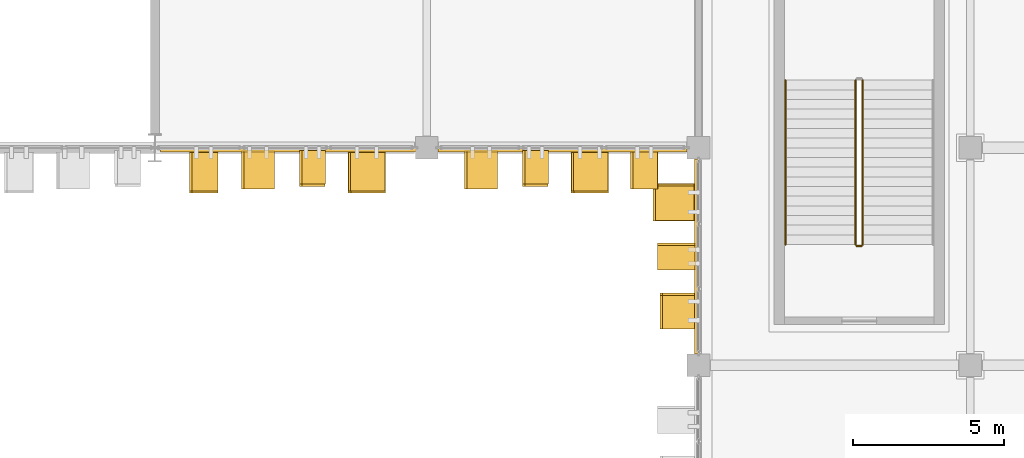
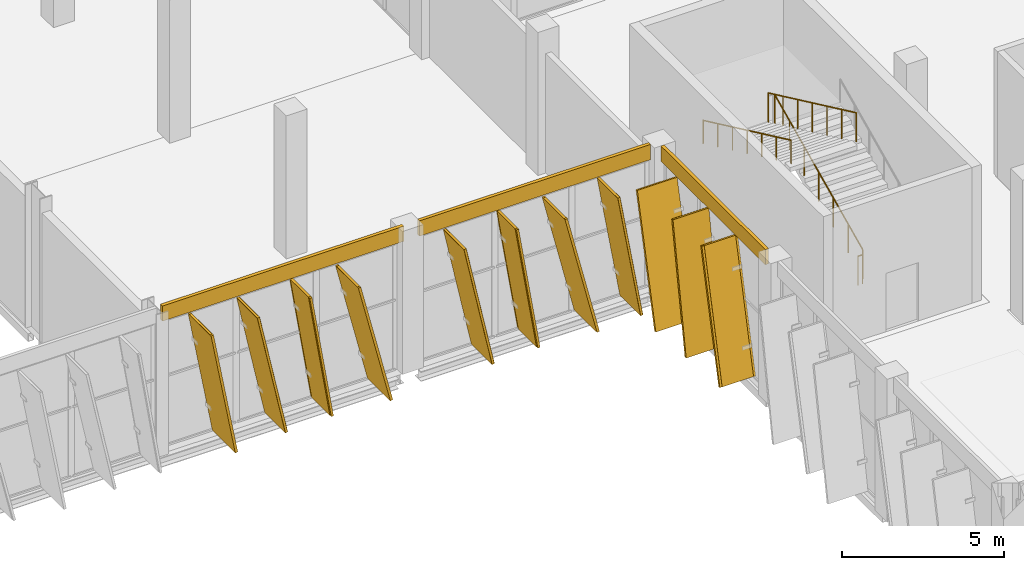
# One storey, part 165 of 189: 14 coverings, 11 shading devices, 4 railings.
"""IFC4 building model written with IfcOpenShell, lengths in metres."""

from ifc_helpers import new_model, si_unit, direction, frame, origin, origin_2d, place, context, subcontext, project, spatial, rectangle, circle, extrude, material, layer, layer_set, material_profile, profile_set, type_object, element, save


model = new_model("IFC4")

# Units and contexts
model_context = context("Model", 3, precision=1e-05, world=origin(), true_north=direction((0.0, 1.0)))
body_context = subcontext(model_context, "Body", "Model", "MODEL_VIEW")
ifc_project = project(units=[si_unit("LENGTHUNIT", "METRE"), si_unit("AREAUNIT", "SQUARE_METRE"), si_unit("VOLUMEUNIT", "CUBIC_METRE"), si_unit("PLANEANGLEUNIT", "RADIAN"), si_unit("MASSUNIT", "GRAM", prefix="KILO")], contexts=[model_context])

# Site, building, storey
site_placement = place(None, origin())
site = spatial("IfcSite", under=ifc_project, at=site_placement, CompositionType="ELEMENT")
building_placement = place(site_placement, origin())
building = spatial("IfcBuilding", under=site, at=building_placement, Name="Celestram Park Convention Centre", CompositionType="ELEMENT")
storey_placement = place(building_placement, frame((0.0, 0.0, 5.39990234375)))
storey = spatial("IfcBuildingStorey", under=building, at=storey_placement, Name="L01", CompositionType="ELEMENT", Elevation=5.39990234375)

# Coverings
ifc_material_1 = material(Name="Anodised Bronze Aluminium Spandrel Cladding", Category="aluminium")
ifc_layer_1 = layer(ifc_material_1, 0.050048828125)
ifc_layer_set_1 = layer_set([ifc_layer_1], Name="Anodised Bronze Aluminium Spandrel Cladding")
covering_type_1 = type_object("IfcCoveringType", Name="ARC-COV-CLD060", PredefinedType="CLADDING", material=ifc_layer_set_1)
covering_1_placement = place(storey_placement, frame((143.919921875, 18.0, 4.82421875), z_axis=(0.0, 0.0, 1.0), x_axis=(0.0, 1.0, 0.0)))
element("IfcCovering", 1, at=covering_1_placement, inside=storey, type_object=covering_type_1, Name="Bronze spandrel cladding CL-L01-040", PredefinedType="CLADDING", context=body_context, shape_type="SweptSolid", body=[
    extrude(rectangle(XDim=6.4541015625, YDim=0.1201171875, at=origin_2d()), origin(), (0.0, 0.0, 1.0), 0.575927734375),
])
covering_2_placement = place(storey_placement, frame((139.5, 21.52001953125, 4.82421875), z_axis=(0.0, 0.0, 1.0), x_axis=(-1.0, 0.0, 0.0)))
element("IfcCovering", 2, at=covering_2_placement, inside=storey, type_object=covering_type_1, Name="Bronze spandrel cladding CL-L01-041", PredefinedType="CLADDING", context=body_context, shape_type="SweptSolid", body=[
    extrude(rectangle(XDim=8.25390625, YDim=0.1201171875, at=origin_2d()), origin(), (0.0, 0.0, 1.0), 0.575927734375),
])
covering_3_placement = place(storey_placement, frame((130.5, 21.52001953125, 4.82421875), z_axis=(0.0, 0.0, 1.0), x_axis=(-1.0, 0.0, 0.0)))
element("IfcCovering", 3, at=covering_3_placement, inside=storey, type_object=covering_type_1, Name="Bronze spandrel cladding CL-L01-042", PredefinedType="CLADDING", context=body_context, shape_type="SweptSolid", body=[
    extrude(rectangle(XDim=8.616943359375, YDim=0.1201171875, at=origin_2d()), origin(), (0.0, 0.0, 1.0), 0.575927734375),
])
ifc_material_2 = material(Name="Timber-Toned Anodised Aluminium Alloy 6063-T6", Category="wood")
ifc_material_profile_1 = material_profile(ifc_material_2, rectangle(XDim=1.1201171875, YDim=0.090087890625, at=origin_2d()), Name="REED1120X90")
ifc_profile_set_1 = profile_set([ifc_material_profile_1], Name="Timber-Toned Anodised Aluminium Alloy 6063-T6")
covering_type_2 = type_object("IfcCoveringType", Name="ARC-COV-FIN1120", PredefinedType="CLADDING", material=ifc_profile_set_1)
for number, where, z_axis, x_axis, name in (
    (4, (143.360107421875, 15.64453125, 0.0703125), (0.0, 0.231760514524, 0.972772873752), (-1.0, 0.0, 0.0), "Leaning timber-toned reed fin RFN-L01-0134"),
    (5, (138.983154296875, 20.9599609375, 0.035888671875), (-0.159855237728, 0.0, 0.9871404677), (0.0, -1.0, 0.0), "Leaning timber-toned reed fin RFN-L01-0139"),
    (6, (131.601806640625, 20.9599609375, 0.035888671875), (-0.159904861316, 0.0, 0.987132430491), (0.0, -1.0, 0.0), "Leaning timber-toned reed fin RFN-L01-0142"),
):
    element("IfcCovering", number, at=place(storey_placement, frame(where, z_axis=z_axis, x_axis=x_axis)), inside=storey, type_object=covering_type_2, Name=name, PredefinedType="CLADDING", context=body_context, shape_type="SweptSolid", body=[
        extrude(rectangle(XDim=1.1201171875, YDim=0.090087890625, at=origin_2d()), origin(), (0.0, 0.0, 1.0), 4.794189453125),
    ])
ifc_material_profile_2 = material_profile(ifc_material_2, rectangle(XDim=1.280029296875, YDim=0.090087890625, at=origin_2d()), Name="REED1280X90")
ifc_profile_set_2 = profile_set([ifc_material_profile_2], Name="Timber-Toned Anodised Aluminium Alloy 6063-T6")
covering_type_3 = type_object("IfcCoveringType", Name="ARC-COV-FIN1280", PredefinedType="CLADDING", material=ifc_profile_set_2)
for number, where, z_axis, x_axis, name in (
    (7, (143.280029296875, 17.592041015625, 0.0400390625), (0.0, 0.170193410024, 0.985410677426), (-1.0, 0.0, 0.0), "Leaning timber-toned reed fin RFN-L01-0135"),
    (8, (142.60791015625, 20.8798828125, 0.0400390625), (-0.170193410024, 0.0, 0.985410677426), (0.0, -1.0, 0.0), "Leaning timber-toned reed fin RFN-L01-0137"),
    (9, (137.302490234375, 20.8798828125, 0.058349609375), (-0.209612557378, 0.0, 0.977784524212), (0.0, -1.0, 0.0), "Leaning timber-toned reed fin RFN-L01-0140"),
    (10, (129.9208984375, 20.8798828125, 0.058349609375), (-0.209612557378, 0.0, 0.977784524212), (0.0, -1.0, 0.0), "Leaning timber-toned reed fin RFN-L01-0143"),
):
    element("IfcCovering", number, at=place(storey_placement, frame(where, z_axis=z_axis, x_axis=x_axis)), inside=storey, type_object=covering_type_3, Name=name, PredefinedType="CLADDING", context=body_context, shape_type="SweptSolid", body=[
        extrude(rectangle(XDim=1.280029296875, YDim=0.090087890625, at=origin_2d()), origin(), (0.0, 0.0, 1.0), 4.7939453125),
    ])
ifc_material_profile_3 = material_profile(ifc_material_2, rectangle(XDim=1.419921875, YDim=0.090087890625, at=origin_2d()), Name="REED1420X90")
ifc_profile_set_3 = profile_set([ifc_material_profile_3], Name="Timber-Toned Anodised Aluminium Alloy 6063-T6")
covering_type_4 = type_object("IfcCoveringType", Name="ARC-COV-FIN1420", PredefinedType="CLADDING", material=ifc_profile_set_3)
for number, where, z_axis, x_axis, name in (
    (11, (143.2099609375, 19.228271484375, 0.07421875), (0.0, 0.238531475979, 0.971134766635), (-1.0, 0.0, 0.0), "Leaning timber-toned reed fin RFN-L01-0136"),
    (12, (140.9716796875, 20.81005859375, 0.07421875), (-0.238531475979, 0.0, 0.971134766635), (0.0, -1.0, 0.0), "Leaning timber-toned reed fin RFN-L01-0138"),
    (13, (133.59033203125, 20.81005859375, 0.07421875), (-0.238531475979, 0.0, 0.971134766635), (0.0, -1.0, 0.0), "Leaning timber-toned reed fin RFN-L01-0141"),
    (14, (128.05126953125, 20.81005859375, 0.04443359375), (-0.180529868838, 0.0, 0.983569502606), (0.0, -1.0, 0.0), "Leaning timber-toned reed fin RFN-L01-0144"),
):
    element("IfcCovering", number, at=place(storey_placement, frame(where, z_axis=z_axis, x_axis=x_axis)), inside=storey, type_object=covering_type_4, Name=name, PredefinedType="CLADDING", context=body_context, shape_type="SweptSolid", body=[
        extrude(rectangle(XDim=1.419921875, YDim=0.090087890625, at=origin_2d()), origin(), (0.0, 0.0, 1.0), 4.794189453125),
    ])

# Shading devices
ifc_material_3 = material(Name="Anodised Bronze Aluminium Alloy 6063-T6", Category="aluminium")
ifc_material_profile_4 = material_profile(ifc_material_3, rectangle(XDim=1.280029296875, YDim=0.080078125, at=origin_2d()), Name="FIN1280X80")
ifc_profile_set_4 = profile_set([ifc_material_profile_4], Name="Anodised Bronze Aluminium Alloy 6063-T6")
shading_device_type = type_object("IfcShadingDeviceType", Name="ARC-FIN-BZ1280", PredefinedType="USERDEFINED", material=ifc_profile_set_4)
shading_device_1_placement = place(storey_placement, frame((143.360107421875, 15.64453125, 0.0703125), z_axis=(0.0, 0.231760514524, 0.972772873752), x_axis=(-1.0, 0.0, 0.0)))
element("IfcShadingDevice", 15, at=shading_device_1_placement, inside=storey, type_object=shading_device_type, Name="Expressive solar fin FN-L01-0134", ObjectType="SOLAR_FIN", PredefinedType="USERDEFINED", context=body_context, shape_type="SweptSolid", body=[
    extrude(rectangle(XDim=1.280029296875, YDim=0.080078125, at=origin_2d()), origin(), (0.0, 0.0, 1.0), 4.794189453125),
])
shading_device_2_placement = place(storey_placement, frame((143.280029296875, 17.592041015625, 0.0400390625), z_axis=(0.0, 0.170193410024, 0.985410677426), x_axis=(-1.0, 0.0, 0.0)))
element("IfcShadingDevice", 16, at=shading_device_2_placement, inside=storey, type_object=shading_device_type, Name="Expressive solar fin FN-L01-0135", ObjectType="SOLAR_FIN", PredefinedType="USERDEFINED", context=body_context, shape_type="SweptSolid", body=[
    extrude(rectangle(XDim=1.280029296875, YDim=0.080078125, at=origin_2d()), origin(), (0.0, 0.0, 1.0), 4.7939453125),
])
shading_device_3_placement = place(storey_placement, frame((143.2099609375, 19.228271484375, 0.07421875), z_axis=(0.0, 0.238531475979, 0.971134766635), x_axis=(-1.0, 0.0, 0.0)))
element("IfcShadingDevice", 17, at=shading_device_3_placement, inside=storey, type_object=shading_device_type, Name="Expressive solar fin FN-L01-0136", ObjectType="SOLAR_FIN", PredefinedType="USERDEFINED", context=body_context, shape_type="SweptSolid", body=[
    extrude(rectangle(XDim=1.280029296875, YDim=0.080078125, at=origin_2d()), origin(), (0.0, 0.0, 1.0), 4.794189453125),
])
shading_device_4_placement = place(storey_placement, frame((142.60791015625, 20.8798828125, 0.0400390625), z_axis=(-0.170193410024, 0.0, 0.985410677426), x_axis=(0.0, -1.0, 0.0)))
element("IfcShadingDevice", 18, at=shading_device_4_placement, inside=storey, type_object=shading_device_type, Name="Expressive solar fin FN-L01-0137", ObjectType="SOLAR_FIN", PredefinedType="USERDEFINED", context=body_context, shape_type="SweptSolid", body=[
    extrude(rectangle(XDim=1.280029296875, YDim=0.080078125, at=origin_2d()), origin(), (0.0, 0.0, 1.0), 4.7939453125),
])
for number, where, z_axis, x_axis, name in (
    (19, (140.9716796875, 20.81005859375, 0.07421875), (-0.238531475979, 0.0, 0.971134766635), (0.0, -1.0, 0.0), "Expressive solar fin FN-L01-0138"),
    (20, (138.983154296875, 20.9599609375, 0.035888671875), (-0.159855237728, 0.0, 0.9871404677), (0.0, -1.0, 0.0), "Expressive solar fin FN-L01-0139"),
):
    element("IfcShadingDevice", number, at=place(storey_placement, frame(where, z_axis=z_axis, x_axis=x_axis)), inside=storey, type_object=shading_device_type, Name=name, ObjectType="SOLAR_FIN", PredefinedType="USERDEFINED", context=body_context, shape_type="SweptSolid", body=[
        extrude(rectangle(XDim=1.280029296875, YDim=0.080078125, at=origin_2d()), origin(), (0.0, 0.0, 1.0), 4.794189453125),
    ])
shading_device_5_placement = place(storey_placement, frame((137.302490234375, 20.8798828125, 0.058349609375), z_axis=(-0.209612557378, 0.0, 0.977784524212), x_axis=(0.0, -1.0, 0.0)))
element("IfcShadingDevice", 21, at=shading_device_5_placement, inside=storey, type_object=shading_device_type, Name="Expressive solar fin FN-L01-0140", ObjectType="SOLAR_FIN", PredefinedType="USERDEFINED", context=body_context, shape_type="SweptSolid", body=[
    extrude(rectangle(XDim=1.280029296875, YDim=0.080078125, at=origin_2d()), origin(), (0.0, 0.0, 1.0), 4.7939453125),
])
for number, where, z_axis, x_axis, name in (
    (22, (133.59033203125, 20.81005859375, 0.07421875), (-0.238531475979, 0.0, 0.971134766635), (0.0, -1.0, 0.0), "Expressive solar fin FN-L01-0141"),
    (23, (131.601806640625, 20.9599609375, 0.035888671875), (-0.159904861316, 0.0, 0.987132430491), (0.0, -1.0, 0.0), "Expressive solar fin FN-L01-0142"),
):
    element("IfcShadingDevice", number, at=place(storey_placement, frame(where, z_axis=z_axis, x_axis=x_axis)), inside=storey, type_object=shading_device_type, Name=name, ObjectType="SOLAR_FIN", PredefinedType="USERDEFINED", context=body_context, shape_type="SweptSolid", body=[
        extrude(rectangle(XDim=1.280029296875, YDim=0.080078125, at=origin_2d()), origin(), (0.0, 0.0, 1.0), 4.794189453125),
    ])
shading_device_6_placement = place(storey_placement, frame((129.9208984375, 20.8798828125, 0.058349609375), z_axis=(-0.209612557378, 0.0, 0.977784524212), x_axis=(0.0, -1.0, 0.0)))
element("IfcShadingDevice", 24, at=shading_device_6_placement, inside=storey, type_object=shading_device_type, Name="Expressive solar fin FN-L01-0143", ObjectType="SOLAR_FIN", PredefinedType="USERDEFINED", context=body_context, shape_type="SweptSolid", body=[
    extrude(rectangle(XDim=1.280029296875, YDim=0.080078125, at=origin_2d()), origin(), (0.0, 0.0, 1.0), 4.7939453125),
])
shading_device_7_placement = place(storey_placement, frame((128.05126953125, 20.81005859375, 0.04443359375), z_axis=(-0.180529868838, 0.0, 0.983569502606), x_axis=(0.0, -1.0, 0.0)))
element("IfcShadingDevice", 25, at=shading_device_7_placement, inside=storey, type_object=shading_device_type, Name="Expressive solar fin FN-L01-0144", ObjectType="SOLAR_FIN", PredefinedType="USERDEFINED", context=body_context, shape_type="SweptSolid", body=[
    extrude(rectangle(XDim=1.280029296875, YDim=0.080078125, at=origin_2d()), origin(), (0.0, 0.0, 1.0), 4.794189453125),
])

# Railings
ifc_material_4 = material(Name="Stainless Steel AISI 316L & Laminated Glass", Category="steel")
ifc_layer_2 = layer(ifc_material_4, 0.06005859375)
ifc_layer_set_2 = layer_set([ifc_layer_2], Name="Stainless Steel AISI 316L & Laminated Glass")
railing_type_1 = type_object("IfcRailingType", Name="ARC-RL-GRD1120", PredefinedType="GUARDRAIL", material=ifc_layer_set_2)
railing_1_placement = place(storey_placement, frame((149.43603515625, 18.39990234375, 0.150146484375)))
element("IfcRailing", 26, at=railing_1_placement, inside=storey, type_object=railing_type_1, Name="L01 ST-06 stair guard 1", PredefinedType="GUARDRAIL", context=body_context, shape_type="SweptSolid", body=[
    extrude(circle(Radius=0.02392578125, at=origin_2d()), frame((0.0, 0.0, 1.09619140625), z_axis=(0.0, 0.905461375974, 0.424428670827), x_axis=(-1.0, 0.0, 0.0)), (0.0, 0.0, 1.0), 6.00830078125),
    extrude(circle(Radius=0.02099609375, at=origin_2d()), origin(), (0.0, 0.0, 1.0), 1.072021484375),
    extrude(circle(Radius=0.02099609375, at=origin_2d()), frame((0.0, 0.90673828125, 0.425048828125)), (0.0, 0.0, 1.0), 1.072021484375),
    extrude(circle(Radius=0.02099609375, at=origin_2d()), frame((0.0, 1.8134765625, 0.85009765625)), (0.0, 0.0, 1.0), 1.072021484375),
    extrude(circle(Radius=0.02099609375, at=origin_2d()), frame((0.0, 2.72021484375, 1.27490234375)), (0.0, 0.0, 1.0), 1.072021484375),
    extrude(circle(Radius=0.02099609375, at=origin_2d()), frame((0.0, 3.626708984375, 1.699951171875)), (0.0, 0.0, 1.0), 1.072021484375),
    extrude(circle(Radius=0.02099609375, at=origin_2d()), frame((0.0, 4.533447265625, 2.125)), (0.0, 0.0, 1.0), 1.072021484375),
    extrude(circle(Radius=0.02099609375, at=origin_2d()), frame((0.0, 5.440185546875, 2.550048828125)), (0.0, 0.0, 1.0), 1.072021484375),
])
railing_2_placement = place(storey_placement, frame((149.2041015625, 23.840087890625, 2.85009765625)))
element("IfcRailing", 27, at=railing_2_placement, inside=storey, type_object=railing_type_1, Name="L01 ST-06 stair guard 3", PredefinedType="GUARDRAIL", context=body_context, shape_type="SweptSolid", body=[
    extrude(circle(Radius=0.02392578125, at=origin_2d()), frame((0.0, 0.0, 1.09619140625), z_axis=(0.0, -0.905461375974, 0.424428670827), x_axis=(1.0, 0.0, 0.0)), (0.0, 0.0, 1.0), 6.00830078125),
    extrude(circle(Radius=0.02099609375, at=origin_2d()), origin(), (0.0, 0.0, 1.0), 1.072021484375),
    extrude(circle(Radius=0.02099609375, at=origin_2d()), frame((0.0, -0.90673828125, 0.425048828125)), (0.0, 0.0, 1.0), 1.072021484375),
    extrude(circle(Radius=0.02099609375, at=origin_2d()), frame((0.0, -1.8134765625, 0.85009765625)), (0.0, 0.0, 1.0), 1.072021484375),
    extrude(circle(Radius=0.02099609375, at=origin_2d()), frame((0.0, -2.72021484375, 1.27490234375)), (0.0, 0.0, 1.0), 1.072021484375),
    extrude(circle(Radius=0.02099609375, at=origin_2d()), frame((0.0, -3.626708984375, 1.699951171875)), (0.0, 0.0, 1.0), 1.072021484375),
    extrude(circle(Radius=0.02099609375, at=origin_2d()), frame((0.0, -4.533447265625, 2.125)), (0.0, 0.0, 1.0), 1.072021484375),
    extrude(circle(Radius=0.02099609375, at=origin_2d()), frame((0.0, -5.440185546875, 2.550048828125)), (0.0, 0.0, 1.0), 1.072021484375),
])
railing_3_placement = place(storey_placement, frame((149.39990234375, 18.35009765625, 0.0)))
element("IfcRailing", 28, at=railing_3_placement, inside=storey, type_object=railing_type_1, Name="L01 ST-06 stair guard 4", PredefinedType="GUARDRAIL", context=body_context, shape_type="SweptSolid", body=[
    extrude(circle(Radius=0.02392578125, at=origin_2d()), frame((0.0, 0.0, 1.09619140625), z_axis=(-1.0, 0.0, 0.0), x_axis=(0.0, -1.0, 0.0)), (0.0, 0.0, 1.0), 0.159912109375),
    extrude(circle(Radius=0.02099609375, at=origin_2d()), origin(), (0.0, 0.0, 1.0), 1.072021484375),
    extrude(circle(Radius=0.02099609375, at=origin_2d()), frame((-0.159912109375, 0.0, 0.0)), (0.0, 0.0, 1.0), 1.072021484375),
])
ifc_material_5 = material(Name="Brushed Stainless Steel AISI 304", Category="steel")
ifc_layer_3 = layer(ifc_material_5, 0.048095703125)
ifc_layer_set_3 = layer_set([ifc_layer_3], Name="Brushed Stainless Steel AISI 304")
railing_type_2 = type_object("IfcRailingType", Name="ARC-RL-HND915", PredefinedType="HANDRAIL", material=ifc_layer_set_3)
railing_4_placement = place(storey_placement, frame((146.8759765625, 23.840087890625, 2.85009765625)))
element("IfcRailing", 29, at=railing_4_placement, inside=storey, type_object=railing_type_2, Name="L01 ST-06 stair handrail 2", PredefinedType="HANDRAIL", context=body_context, shape_type="SweptSolid", body=[
    extrude(circle(Radius=0.02392578125, at=origin_2d()), frame((0.0, 0.0, 0.8759765625), z_axis=(0.0, -0.905461375974, 0.424428670827), x_axis=(1.0, 0.0, 0.0)), (0.0, 0.0, 1.0), 6.00830078125),
    extrude(circle(Radius=0.02099609375, at=origin_2d()), origin(), (0.0, 0.0, 1.0), 0.851806640625),
    extrude(circle(Radius=0.02099609375, at=origin_2d()), frame((0.0, -0.90673828125, 0.425048828125)), (0.0, 0.0, 1.0), 0.851806640625),
    extrude(circle(Radius=0.02099609375, at=origin_2d()), frame((0.0, -1.8134765625, 0.85009765625)), (0.0, 0.0, 1.0), 0.851806640625),
    extrude(circle(Radius=0.02099609375, at=origin_2d()), frame((0.0, -2.72021484375, 1.27490234375)), (0.0, 0.0, 1.0), 0.851806640625),
    extrude(circle(Radius=0.02099609375, at=origin_2d()), frame((0.0, -3.626708984375, 1.699951171875)), (0.0, 0.0, 1.0), 0.851806640625),
    extrude(circle(Radius=0.02099609375, at=origin_2d()), frame((0.0, -4.533447265625, 2.125)), (0.0, 0.0, 1.0), 0.851806640625),
    extrude(circle(Radius=0.02099609375, at=origin_2d()), frame((0.0, -5.440185546875, 2.550048828125)), (0.0, 0.0, 1.0), 0.851806640625),
])

save(model, "model.ifc")
